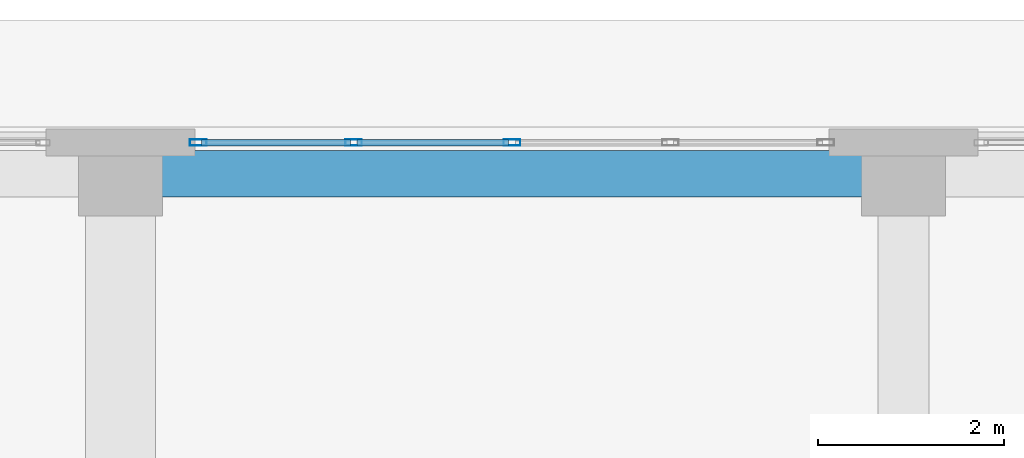
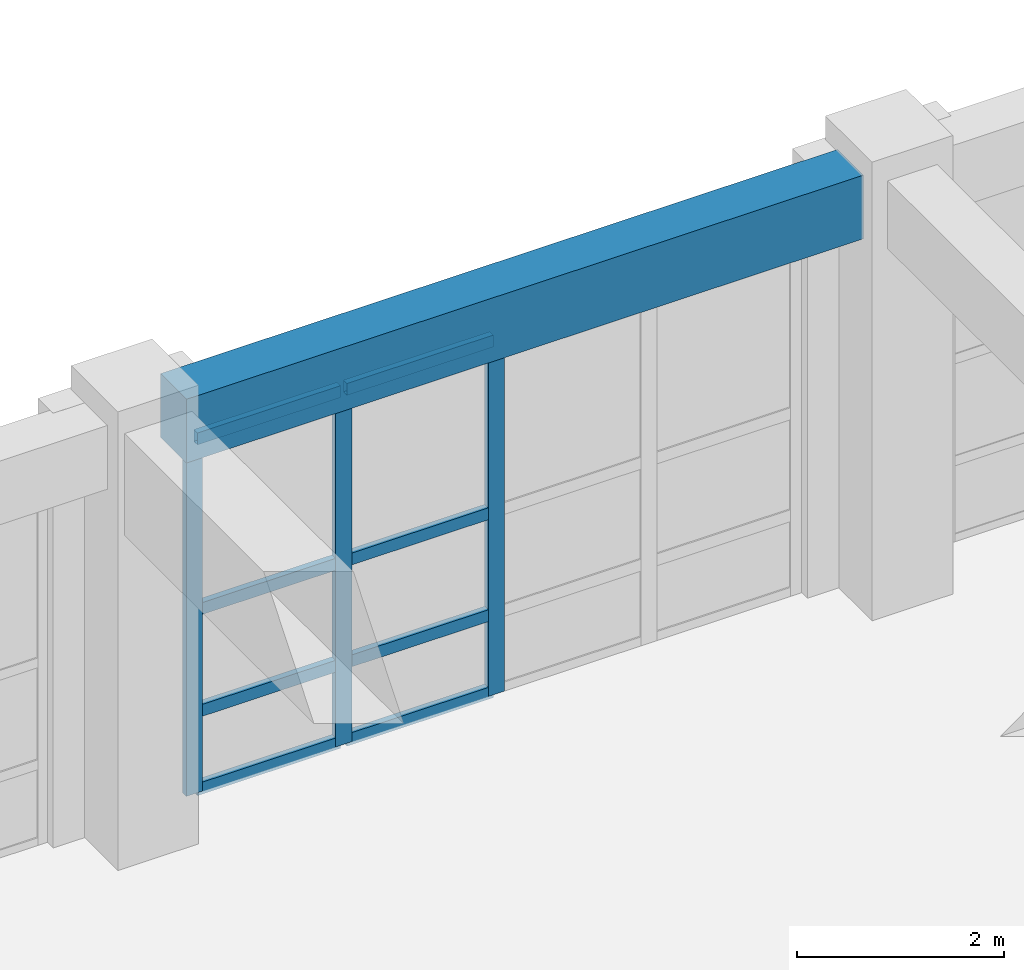
# One storey, part 84 of 148: 11 members, 1 beam, 1 element without a shape of its own.
"""IFC4 building model written with IfcOpenShell, lengths in metres."""

from ifc_helpers import new_model, si_unit, direction, frame, origin, origin_2d, place, context, subcontext, project, spatial, rectangle, hollow_rectangle, extrude, material, layer, layer_set, material_profile, profile_set, type_object, element, aggregate, save


model = new_model("IFC4")

# Units and contexts
model_context = context("Model", 3, precision=1e-05, world=origin(), true_north=direction((0.0, 1.0)))
body_context = subcontext(model_context, "Body", "Model", "MODEL_VIEW")
ifc_project = project(units=[si_unit("LENGTHUNIT", "METRE"), si_unit("AREAUNIT", "SQUARE_METRE"), si_unit("VOLUMEUNIT", "CUBIC_METRE"), si_unit("PLANEANGLEUNIT", "RADIAN"), si_unit("MASSUNIT", "GRAM", prefix="KILO")], contexts=[model_context])

# Site, building, storey
site_placement = place(None, origin())
site = spatial("IfcSite", under=ifc_project, at=site_placement, CompositionType="ELEMENT")
building_placement = place(site_placement, origin())
building = spatial("IfcBuilding", under=site, at=building_placement, Name="Quendrovan Civic Courthouse", CompositionType="ELEMENT")
storey_placement = place(building_placement, origin())
storey = spatial("IfcBuildingStorey", under=building, at=storey_placement, Name="L01", CompositionType="ELEMENT", Elevation=0.0)

# Beam
ifc_material_1 = material(Name="Concrete C40/50", Category="concrete")
ifc_material_profile_1 = material_profile(ifc_material_1, rectangle(XDim=0.5, YDim=0.75, at=origin_2d()), Name="RC-BM-500x750")
ifc_profile_set_1 = profile_set([ifc_material_profile_1], Name="Concrete C40/50")
beam_type = type_object("IfcBeamType", Name="BM-RC750", PredefinedType="SPANDREL", material=ifc_profile_set_1)
beam_placement = place(storey_placement, frame((76.030029296875, 109.89990234375, 4.7451171875), z_axis=(1.0, 0.0, 0.0), x_axis=(0.0, 1.0, 0.0)))
element("IfcBeam", 1, at=beam_placement, inside=storey, type_object=beam_type, Name="L01 Girder X0361", PredefinedType="SPANDREL", context=body_context, shape_type="SweptSolid", body=[
    extrude(rectangle(XDim=0.5, YDim=0.75, at=origin_2d()), origin(), (0.0, 0.0, 1.0), 7.5400390625),
])

# Curtain wall, members
ifc_material_2 = material(Name="Bronze anodised aluminium and low-E glass", Category="aluminium")
ifc_layer = layer(ifc_material_2, 0.179931640625, Name="Bronze anodised aluminium and low-E glass")
ifc_layer_set = layer_set([ifc_layer], Name="Bronze anodised aluminium and low-E glass")
curtain_wall_type = type_object("IfcCurtainWallType", Name="CW-U68x42", PredefinedType="USERDEFINED", material=ifc_layer_set)
curtain_wall_placement = place(storey_placement, origin())
curtain_wall = element("IfcCurtainWall", 2, at=curtain_wall_placement, inside=storey, type_object=curtain_wall_type, Name="L01 Unitised Hurricane Curtain Wall CW-030", ObjectType="UNITISED CURTAIN WALL", PredefinedType="USERDEFINED")
ifc_material_3 = material(Name="Bronze anodised aluminium", Category="aluminium")
ifc_material_profile_2 = material_profile(ifc_material_3, hollow_rectangle(XDim=0.070068359375, YDim=0.179931640625, WallThickness=0.00390625, at=origin_2d()), Name="CW-MULL-70x180")
ifc_profile_set_2 = profile_set([ifc_material_profile_2], Name="Bronze anodised aluminium")
member_type_1 = type_object("IfcMemberType", Name="CW-MULL-A", PredefinedType="MULLION", material=ifc_profile_set_2)
member_1_placement = place(storey_placement, frame((76.43505859375, 110.235107421875, 0.0), z_axis=(0.0, 0.0, 1.0), x_axis=(0.0, 1.0, 0.0)))
member_1 = element("IfcMember", 3, at=member_1_placement, type_object=member_type_1, Name="CW-030 mullion 1", PredefinedType="MULLION", context=body_context, shape_type="SweptSolid", body=[
    extrude(hollow_rectangle(XDim=0.070068359375, YDim=0.179931640625, WallThickness=0.00390625, at=origin_2d()), origin(), (0.0, 0.0, 1.0), 4.199951171875),
])
member_2_placement = place(storey_placement, frame((78.10009765625, 110.235107421875, 0.0), z_axis=(0.0, 0.0, 1.0), x_axis=(0.0, 1.0, 0.0)))
member_2 = element("IfcMember", 4, at=member_2_placement, type_object=member_type_1, Name="CW-030 mullion 2", PredefinedType="MULLION", context=body_context, shape_type="SweptSolid", body=[
    extrude(hollow_rectangle(XDim=0.070068359375, YDim=0.179931640625, WallThickness=0.00390625, at=origin_2d()), origin(), (0.0, 0.0, 1.0), 4.199951171875),
])
member_3_placement = place(storey_placement, frame((79.800048828125, 110.235107421875, 0.0), z_axis=(0.0, 0.0, 1.0), x_axis=(0.0, 1.0, 0.0)))
member_3 = element("IfcMember", 5, at=member_3_placement, type_object=member_type_1, Name="CW-030 mullion 3", PredefinedType="MULLION", context=body_context, shape_type="SweptSolid", body=[
    extrude(hollow_rectangle(XDim=0.070068359375, YDim=0.179931640625, WallThickness=0.00390625, at=origin_2d()), origin(), (0.0, 0.0, 1.0), 4.199951171875),
])
ifc_material_profile_3 = material_profile(ifc_material_3, hollow_rectangle(XDim=0.070068359375, YDim=0.139892578125, WallThickness=0.00390625, at=origin_2d()), Name="CW-TRAN-70x140")
ifc_profile_set_3 = profile_set([ifc_material_profile_3], Name="Bronze anodised aluminium")
member_type_2 = type_object("IfcMemberType", Name="CW-TRAN-A", PredefinedType="USERDEFINED", material=ifc_profile_set_3)
member_4_placement = place(storey_placement, frame((76.469970703125, 110.235107421875, 0.034912109375), z_axis=(1.0, 0.0, 0.0), x_axis=(0.0, 1.0, 0.0)))
member_4 = element("IfcMember", 6, at=member_4_placement, type_object=member_type_2, Name="CW-030 transom 1.1", ObjectType="TRANSOM", PredefinedType="USERDEFINED", context=body_context, shape_type="SweptSolid", body=[
    extrude(hollow_rectangle(XDim=0.070068359375, YDim=0.139892578125, WallThickness=0.00390625, at=origin_2d()), origin(), (0.0, 0.0, 1.0), 1.594970703125),
])
member_5_placement = place(storey_placement, frame((76.469970703125, 110.235107421875, 0.949951171875), z_axis=(1.0, 0.0, 0.0), x_axis=(0.0, 1.0, 0.0)))
member_5 = element("IfcMember", 7, at=member_5_placement, type_object=member_type_2, Name="CW-030 transom 1.2", ObjectType="TRANSOM", PredefinedType="USERDEFINED", context=body_context, shape_type="SweptSolid", body=[
    extrude(hollow_rectangle(XDim=0.070068359375, YDim=0.139892578125, WallThickness=0.00390625, at=origin_2d()), origin(), (0.0, 0.0, 1.0), 1.594970703125),
])
member_6_placement = place(storey_placement, frame((76.469970703125, 110.235107421875, 2.14990234375), z_axis=(1.0, 0.0, 0.0), x_axis=(0.0, 1.0, 0.0)))
member_6 = element("IfcMember", 8, at=member_6_placement, type_object=member_type_2, Name="CW-030 transom 1.3", ObjectType="TRANSOM", PredefinedType="USERDEFINED", context=body_context, shape_type="SweptSolid", body=[
    extrude(hollow_rectangle(XDim=0.070068359375, YDim=0.139892578125, WallThickness=0.00390625, at=origin_2d()), origin(), (0.0, 0.0, 1.0), 1.594970703125),
])
member_7_placement = place(storey_placement, frame((76.469970703125, 110.235107421875, 4.1650390625), z_axis=(1.0, 0.0, 0.0), x_axis=(0.0, 1.0, 0.0)))
member_7 = element("IfcMember", 9, at=member_7_placement, type_object=member_type_2, Name="CW-030 transom 1.4", ObjectType="TRANSOM", PredefinedType="USERDEFINED", context=body_context, shape_type="SweptSolid", body=[
    extrude(hollow_rectangle(XDim=0.070068359375, YDim=0.139892578125, WallThickness=0.00390625, at=origin_2d()), origin(), (0.0, 0.0, 1.0), 1.594970703125),
])
member_8_placement = place(storey_placement, frame((78.135009765625, 110.235107421875, 0.034912109375), z_axis=(1.0, 0.0, 0.0), x_axis=(0.0, 1.0, 0.0)))
member_8 = element("IfcMember", 10, at=member_8_placement, type_object=member_type_2, Name="CW-030 transom 2.1", ObjectType="TRANSOM", PredefinedType="USERDEFINED", context=body_context, shape_type="SweptSolid", body=[
    extrude(hollow_rectangle(XDim=0.070068359375, YDim=0.139892578125, WallThickness=0.00390625, at=origin_2d()), origin(), (0.0, 0.0, 1.0), 1.6298828125),
])
member_9_placement = place(storey_placement, frame((78.135009765625, 110.235107421875, 0.949951171875), z_axis=(1.0, 0.0, 0.0), x_axis=(0.0, 1.0, 0.0)))
member_9 = element("IfcMember", 11, at=member_9_placement, type_object=member_type_2, Name="CW-030 transom 2.2", ObjectType="TRANSOM", PredefinedType="USERDEFINED", context=body_context, shape_type="SweptSolid", body=[
    extrude(hollow_rectangle(XDim=0.070068359375, YDim=0.139892578125, WallThickness=0.00390625, at=origin_2d()), origin(), (0.0, 0.0, 1.0), 1.6298828125),
])
member_10_placement = place(storey_placement, frame((78.135009765625, 110.235107421875, 2.14990234375), z_axis=(1.0, 0.0, 0.0), x_axis=(0.0, 1.0, 0.0)))
member_10 = element("IfcMember", 12, at=member_10_placement, type_object=member_type_2, Name="CW-030 transom 2.3", ObjectType="TRANSOM", PredefinedType="USERDEFINED", context=body_context, shape_type="SweptSolid", body=[
    extrude(hollow_rectangle(XDim=0.070068359375, YDim=0.139892578125, WallThickness=0.00390625, at=origin_2d()), origin(), (0.0, 0.0, 1.0), 1.6298828125),
])
member_11_placement = place(storey_placement, frame((78.135009765625, 110.235107421875, 4.1650390625), z_axis=(1.0, 0.0, 0.0), x_axis=(0.0, 1.0, 0.0)))
member_11 = element("IfcMember", 13, at=member_11_placement, type_object=member_type_2, Name="CW-030 transom 2.4", ObjectType="TRANSOM", PredefinedType="USERDEFINED", context=body_context, shape_type="SweptSolid", body=[
    extrude(hollow_rectangle(XDim=0.070068359375, YDim=0.139892578125, WallThickness=0.00390625, at=origin_2d()), origin(), (0.0, 0.0, 1.0), 1.6298828125),
])
aggregate(curtain_wall, [member_1, member_2, member_3, member_4, member_5, member_6, member_7, member_8, member_9, member_10, member_11])

save(model, "model.ifc")
